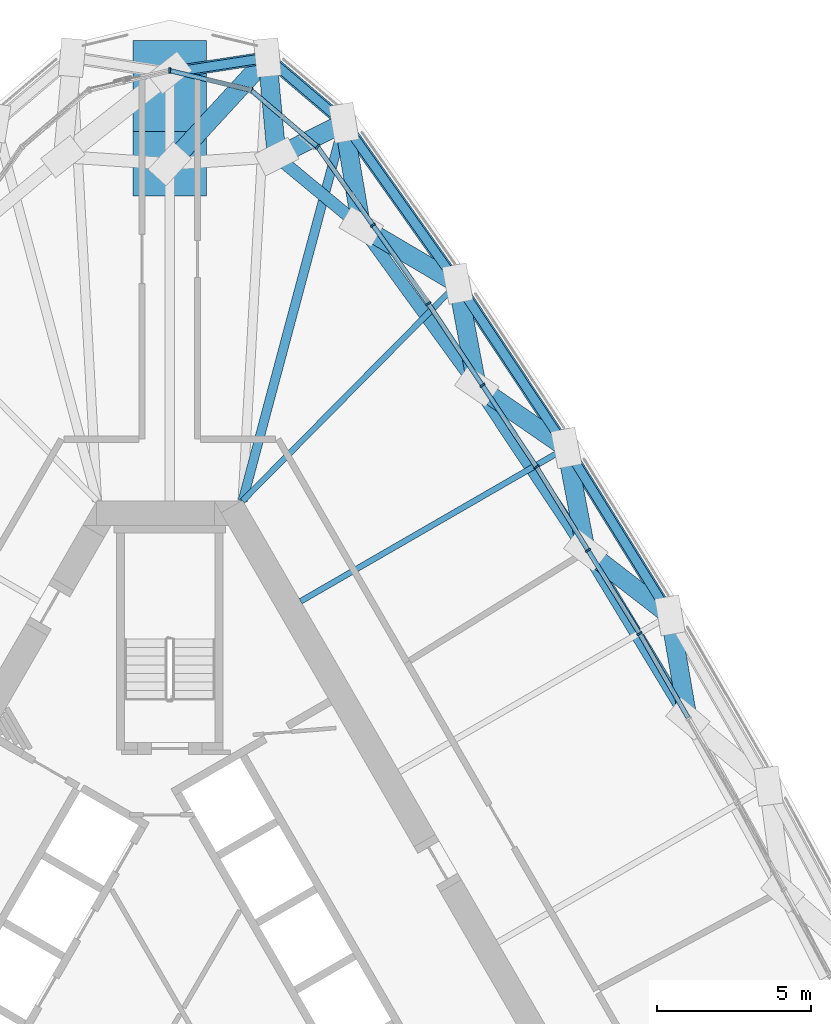
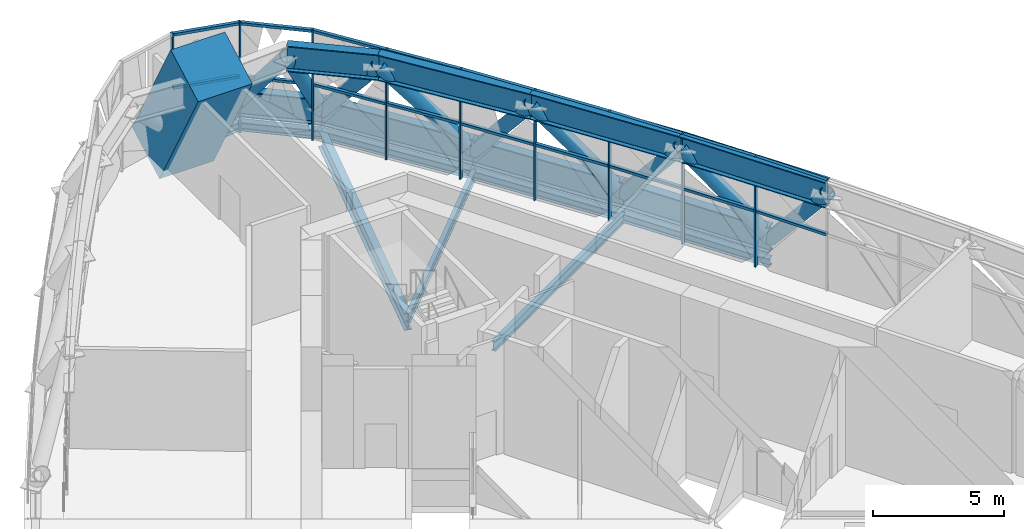
# One storey, part 9 of 35: 47 members, 8 beams, 2 elements without a shape of their own.
"""IFC4 building model written with IfcOpenShell, lengths in metres."""

from ifc_helpers import new_model, si_unit, direction, frame, origin, origin_2d, place, context, subcontext, project, spatial, rectangle, hollow_circle, i_section, extrude, material, material_profile, profile_set, type_object, element, aggregate, save


model = new_model("IFC4")

# Units and contexts
model_context = context("Model", 3, precision=1e-05, world=origin(), true_north=direction((0.0, 1.0)))
body_context = subcontext(model_context, "Body", "Model", "MODEL_VIEW")
ifc_project = project(units=[si_unit("LENGTHUNIT", "METRE"), si_unit("AREAUNIT", "SQUARE_METRE"), si_unit("VOLUMEUNIT", "CUBIC_METRE"), si_unit("PLANEANGLEUNIT", "RADIAN"), si_unit("MASSUNIT", "GRAM", prefix="KILO")], contexts=[model_context])

# Site, building, storey
site_placement = place(None, origin())
site = spatial("IfcSite", under=ifc_project, at=site_placement, CompositionType="ELEMENT")
building_placement = place(site_placement, origin())
building = spatial("IfcBuilding", under=site, at=building_placement, Name="Mestral Congress Tower", CompositionType="ELEMENT")
storey_placement = place(building_placement, frame((0.0, 0.0, 196.199951171875)))
storey = spatial("IfcBuildingStorey", under=building, at=storey_placement, Name="L46", CompositionType="ELEMENT", Elevation=196.199951171875)

# Members
ifc_material_1 = material(Name="Steel S355", Category="steel")
ifc_material_profile_1 = material_profile(ifc_material_1, i_section(OverallWidth=0.39990234375, OverallDepth=1.199951171875, WebThickness=0.02001953125, FlangeThickness=0.0400390625, FilletRadius=0.010009765625, at=origin_2d()), Name="WPG 1200")
ifc_profile_set_1 = profile_set([ifc_material_profile_1], Name="Steel S355")
member_type_1 = type_object("IfcMemberType", Name="Belt chord WPG 1200 S355", PredefinedType="CHORD", material=ifc_profile_set_1)
member_1_placement = place(storey_placement, frame((16.247314453125, 13.0751953125, 0.60009765625), z_axis=(-0.52618387331, 0.850370819977, 0.0), x_axis=(-0.850370819977, -0.52618387331, 0.0)))
element("IfcMember", 1, at=member_1_placement, inside=storey, type_object=member_type_1, Name="MB-L46-BC3-E04", PredefinedType="CHORD", context=body_context, shape_type="SweptSolid", body=[
    extrude(i_section(OverallWidth=0.39990234375, OverallDepth=1.199951171875, WebThickness=0.02001953125, FlangeThickness=0.0400390625, FilletRadius=0.010009765625, at=origin_2d()), origin(), (0.0, 0.0, 1.0), 6.399658203125),
])
for number, where, z_axis, x_axis, name in (
    (2, (12.8798828125, 18.517333984375, 0.60009765625), (-0.551915276836, 0.833900190188, 0.0), (-0.833900190188, -0.551915276836, 0.0), "MB-L46-BC3-E05"),
    (3, (9.34765625, 23.854248046875, 0.60009765625), (-0.577102484984, 0.816671734435, 0.0), (-0.816671734435, -0.577102484984, 0.0), "MB-L46-BC3-E06"),
):
    element("IfcMember", number, at=place(storey_placement, frame(where, z_axis=z_axis, x_axis=x_axis)), inside=storey, type_object=member_type_1, Name=name, PredefinedType="CHORD", context=body_context, shape_type="SweptSolid", body=[
        extrude(i_section(OverallWidth=0.39990234375, OverallDepth=1.199951171875, WebThickness=0.02001953125, FlangeThickness=0.0400390625, FilletRadius=0.010009765625, at=origin_2d()), origin(), (0.0, 0.0, 1.0), 6.39990234375),
    ])
member_2_placement = place(storey_placement, frame((5.654296875, 29.080810546875, 0.60009765625), z_axis=(-0.761440312553, 0.648235027147, 0.0), x_axis=(-0.648235027147, -0.761440312553, 0.0)))
element("IfcMember", 4, at=member_2_placement, inside=storey, type_object=member_type_1, Name="MB-L46-BC3-E07", PredefinedType="CHORD", context=body_context, shape_type="SweptSolid", body=[
    extrude(i_section(OverallWidth=0.39990234375, OverallDepth=1.199951171875, WebThickness=0.02001953125, FlangeThickness=0.0400390625, FilletRadius=0.010009765625, at=origin_2d()), origin(), (0.0, 0.0, 1.0), 3.2607421875),
])
member_3_placement = place(storey_placement, frame((3.17138671875, 31.194580078125, 0.60009765625), z_axis=(-0.98825089414, -0.152840342289, 0.0), x_axis=(0.152840342289, -0.98825089414, 0.0)))
element("IfcMember", 5, at=member_3_placement, inside=storey, type_object=member_type_1, Name="MB-L46-BC3-N1", PredefinedType="CHORD", context=body_context, shape_type="SweptSolid", body=[
    extrude(i_section(OverallWidth=0.39990234375, OverallDepth=1.199951171875, WebThickness=0.02001953125, FlangeThickness=0.0400390625, FilletRadius=0.010009765625, at=origin_2d()), origin(), (0.0, 0.0, 1.0), 3.208984375),
])
member_4_placement = place(storey_placement, frame((16.827392578125, 9.71533203125, 4.550048828125), z_axis=(-0.517874683363, 0.855456493535, 0.0), x_axis=(-0.855456493535, -0.517874683363, 0.0)))
element("IfcMember", 6, at=member_4_placement, inside=storey, type_object=member_type_1, Name="MB-L46-TC3-E03", PredefinedType="CHORD", context=body_context, shape_type="SweptSolid", body=[
    extrude(i_section(OverallWidth=0.39990234375, OverallDepth=1.199951171875, WebThickness=0.02001953125, FlangeThickness=0.0400390625, FilletRadius=0.010009765625, at=origin_2d()), origin(), (0.0, 0.0, 1.0), 6.399658203125),
])
for number, where, z_axis, x_axis, name in (
    (7, (13.51318359375, 15.18994140625, 4.550048828125), (-0.552911723663, 0.833239836923, 0.0), (-0.833239836923, -0.552911723663, 0.0), "MB-L46-TC3-E04"),
    (8, (9.974853515625, 20.522216796875, 4.550048828125), (-0.58698695142, 0.80959639257, 0.0), (-0.80959639257, -0.58698695142, 0.0), "MB-L46-TC3-E05"),
):
    element("IfcMember", number, at=place(storey_placement, frame(where, z_axis=z_axis, x_axis=x_axis)), inside=storey, type_object=member_type_1, Name=name, PredefinedType="CHORD", context=body_context, shape_type="SweptSolid", body=[
        extrude(i_section(OverallWidth=0.39990234375, OverallDepth=1.199951171875, WebThickness=0.02001953125, FlangeThickness=0.0400390625, FilletRadius=0.010009765625, at=origin_2d()), origin(), (0.0, 0.0, 1.0), 6.3994140625),
    ])
member_5_placement = place(storey_placement, frame((6.218505859375, 25.703125, 4.550048828125), z_axis=(-0.769974479924, 0.638074682358, 0.0), x_axis=(-0.638074682358, -0.769974479924, 0.0)))
element("IfcMember", 9, at=member_5_placement, inside=storey, type_object=member_type_1, Name="MB-L46-TC3-E06", PredefinedType="CHORD", context=body_context, shape_type="SweptSolid", body=[
    extrude(i_section(OverallWidth=0.39990234375, OverallDepth=1.199951171875, WebThickness=0.02001953125, FlangeThickness=0.0400390625, FilletRadius=0.010009765625, at=origin_2d()), origin(), (0.0, 0.0, 1.0), 3.56689453125),
])
ifc_material_profile_2 = material_profile(ifc_material_1, hollow_circle(Radius=0.304931640625, WallThickness=0.02490234375, at=origin_2d()), Name="CHS 610x25")
ifc_profile_set_2 = profile_set([ifc_material_profile_2], Name="Steel S355")
member_type_2 = type_object("IfcMemberType", Name="Belt diagonal CHS 610x25 S355", PredefinedType="BRACE", material=ifc_profile_set_2)
member_6_placement = place(storey_placement, frame((16.247314453125, 13.0751953125, 0.60009765625), z_axis=(0.111169156495, -0.643901486397, 0.756988965878), x_axis=(0.985421228399, 0.170132309161, 0.0)))
element("IfcMember", 10, at=member_6_placement, inside=storey, type_object=member_type_2, Name="MD-L46-BD3-E04.E03", PredefinedType="BRACE", context=body_context, shape_type="SweptSolid", body=[
    extrude(hollow_circle(Radius=0.304931640625, WallThickness=0.02490234375, at=origin_2d()), origin(), (0.0, 0.0, 1.0), 5.218017578125),
])
member_7_placement = place(storey_placement, frame((16.247314453125, 13.0751953125, 0.60009765625), z_axis=(-0.52090745051, 0.402902074856, 0.752545909616), x_axis=(-0.611811285335, -0.791003761772, 0.0)))
element("IfcMember", 11, at=member_7_placement, inside=storey, type_object=member_type_2, Name="MD-L46-BD3-E04.E04", PredefinedType="BRACE", context=body_context, shape_type="SweptSolid", body=[
    extrude(hollow_circle(Radius=0.304931640625, WallThickness=0.02490234375, at=origin_2d()), origin(), (0.0, 0.0, 1.0), 5.248779296875),
])
member_8_placement = place(storey_placement, frame((12.8798828125, 18.517333984375, 0.60009765625), z_axis=(0.121710484885, -0.639472705664, 0.759118710466), x_axis=(0.982365053895, 0.18697299507, 0.0)))
element("IfcMember", 12, at=member_8_placement, inside=storey, type_object=member_type_2, Name="MD-L46-BD3-E05.E04", PredefinedType="BRACE", context=body_context, shape_type="SweptSolid", body=[
    extrude(hollow_circle(Radius=0.304931640625, WallThickness=0.02490234375, at=origin_2d()), origin(), (0.0, 0.0, 1.0), 5.203369140625),
])
member_9_placement = place(storey_placement, frame((12.8798828125, 18.517333984375, 0.60009765625), z_axis=(-0.54840321568, 0.378476107838, 0.745660612362), x_axis=(-0.568004467728, -0.823025470226, 0.0)))
element("IfcMember", 13, at=member_9_placement, inside=storey, type_object=member_type_2, Name="MD-L46-BD3-E05.E05", PredefinedType="BRACE", context=body_context, shape_type="SweptSolid", body=[
    extrude(hollow_circle(Radius=0.304931640625, WallThickness=0.02490234375, at=origin_2d()), origin(), (0.0, 0.0, 1.0), 5.29736328125),
])
member_10_placement = place(storey_placement, frame((9.34765625, 23.854248046875, 0.60009765625), z_axis=(0.12048588021, -0.640090032351, 0.758793715812), x_axis=(0.98274151434, 0.184984096596, 0.0)))
element("IfcMember", 14, at=member_10_placement, inside=storey, type_object=member_type_2, Name="MD-L46-BD3-E06.E05", PredefinedType="BRACE", context=body_context, shape_type="SweptSolid", body=[
    extrude(hollow_circle(Radius=0.304931640625, WallThickness=0.02490234375, at=origin_2d()), origin(), (0.0, 0.0, 1.0), 5.20556640625),
])
member_11_placement = place(storey_placement, frame((9.34765625, 23.854248046875, 0.60009765625), z_axis=(-0.582960882048, 0.34444587343, 0.735876110686), x_axis=(-0.508695365577, -0.860946586636, 0.0)))
element("IfcMember", 15, at=member_11_placement, inside=storey, type_object=member_type_2, Name="MD-L46-BD3-E06.E06", PredefinedType="BRACE", context=body_context, shape_type="SweptSolid", body=[
    extrude(hollow_circle(Radius=0.304931640625, WallThickness=0.02490234375, at=origin_2d()), origin(), (0.0, 0.0, 1.0), 5.36767578125),
])
member_12_placement = place(storey_placement, frame((5.654296875, 29.080810546875, 0.60009765625), z_axis=(0.107926102258, -0.646108881326, 0.755576117888), x_axis=(0.986334127026, 0.164757366647, 0.0)))
element("IfcMember", 16, at=member_12_placement, inside=storey, type_object=member_type_2, Name="MD-L46-BD3-E07.E06", PredefinedType="BRACE", context=body_context, shape_type="SweptSolid", body=[
    extrude(hollow_circle(Radius=0.304931640625, WallThickness=0.02490234375, at=origin_2d()), origin(), (0.0, 0.0, 1.0), 5.227783203125),
])
member_13_placement = place(storey_placement, frame((5.654296875, 29.080810546875, 0.60009765625), z_axis=(-0.469761082896, -0.237193082022, 0.850331680485), x_axis=(0.450725661411, -0.892662521979, 0.0)))
element("IfcMember", 17, at=member_13_placement, inside=storey, type_object=member_type_2, Name="MD-L46-BD3-E07.N1", PredefinedType="BRACE", context=body_context, shape_type="SweptSolid", body=[
    extrude(hollow_circle(Radius=0.304931640625, WallThickness=0.02490234375, at=origin_2d()), origin(), (0.0, 0.0, 1.0), 4.645263671875),
])
member_14_placement = place(storey_placement, frame((3.17138671875, 31.194580078125, 0.60009765625), z_axis=(0.05895120771, -0.630232432421, 0.774165251244), x_axis=(0.995653743164, 0.093132291518, 0.0)))
element("IfcMember", 18, at=member_14_placement, inside=storey, type_object=member_type_2, Name="MD-L46-BD3-N1.N1", PredefinedType="BRACE", context=body_context, shape_type="SweptSolid", body=[
    extrude(hollow_circle(Radius=0.304931640625, WallThickness=0.02490234375, at=origin_2d()), origin(), (0.0, 0.0, 1.0), 5.102294921875),
])
member_15_placement = place(storey_placement, frame((3.17138671875, 31.194580078125, 0.60009765625), z_axis=(-0.517446290181, -0.56293694941, 0.644477561881), x_axis=(0.73622790012, -0.676733684019, 0.0)))
element("IfcMember", 19, at=member_15_placement, inside=storey, type_object=member_type_2, Name="MD-L46-BD3-N1.N", PredefinedType="BRACE", context=body_context, shape_type="SweptSolid", body=[
    extrude(hollow_circle(Radius=0.304931640625, WallThickness=0.02490234375, at=origin_2d()), origin(), (0.0, 0.0, 1.0), 6.12890625),
])

# Curtain wall, members
ifc_material_2 = material(Name="Clear low-emissivity double glazing", Category="glass")
curtain_wall_type = type_object("IfcCurtainWallType", Name="Facade refuge band screen", PredefinedType="USERDEFINED", material=ifc_material_2)
placement = place(storey_placement, origin())
curtain_wall_1 = element("IfcCurtainWall", 20, at=placement, inside=storey, type_object=curtain_wall_type, Name="Facade refuge band screen face 2", ObjectType="CURTAIN WALL", PredefinedType="USERDEFINED")
ifc_material_3 = material(Name="Anodised aluminium", Category="aluminium")
ifc_material_profile_3 = material_profile(ifc_material_3, rectangle(XDim=0.179931640625, YDim=0.06005859375, at=origin_2d()), Name="CW3 mullion 180 x 60")
ifc_profile_set_3 = profile_set([ifc_material_profile_3], Name="Anodised aluminium")
member_type_3 = type_object("IfcMemberType", Name="Facade refuge band screen mullion", PredefinedType="MULLION", material=ifc_profile_set_3)
member_16_placement = place(storey_placement, frame((15.260009765625, 12.485107421875, 0.0), z_axis=(0.0, 0.0, 1.0), x_axis=(0.85829337687, 0.513159311736, 0.0)))
member_16 = element("IfcMember", 21, at=member_16_placement, type_object=member_type_3, Name="Facade refuge band screen mullion", PredefinedType="MULLION", context=body_context, shape_type="SweptSolid", body=[
    extrude(rectangle(XDim=0.179931640625, YDim=0.06005859375, at=origin_2d()), origin(), (0.0, 0.0, 1.0), 5.150146484375),
])
member_17_placement = place(storey_placement, frame((13.585693359375, 15.191162109375, 0.0), z_axis=(0.0, 0.0, 1.0), x_axis=(0.850362327421, 0.526197597964, 0.0)))
member_17 = element("IfcMember", 22, at=member_17_placement, type_object=member_type_3, Name="Facade refuge band screen mullion", PredefinedType="MULLION", context=body_context, shape_type="SweptSolid", body=[
    extrude(rectangle(XDim=0.179931640625, YDim=0.06005859375, at=origin_2d()), origin(), (0.0, 0.0, 1.0), 5.150146484375),
])
member_18_placement = place(storey_placement, frame((11.9111328125, 17.897216796875, 0.0), z_axis=(0.0, 0.0, 1.0), x_axis=(0.84223228897, 0.539114803559, 0.0)))
member_18 = element("IfcMember", 23, at=member_18_placement, type_object=member_type_3, Name="Facade refuge band screen mullion", PredefinedType="MULLION", context=body_context, shape_type="SweptSolid", body=[
    extrude(rectangle(XDim=0.179931640625, YDim=0.06005859375, at=origin_2d()), origin(), (0.0, 0.0, 1.0), 5.150146484375),
])
member_19_placement = place(storey_placement, frame((10.15478515625, 20.551025390625, 0.0), z_axis=(0.0, 0.0, 1.0), x_axis=(0.833906051054, 0.55190642143, 0.0)))
member_19 = element("IfcMember", 24, at=member_19_placement, type_object=member_type_3, Name="Facade refuge band screen mullion", PredefinedType="MULLION", context=body_context, shape_type="SweptSolid", body=[
    extrude(rectangle(XDim=0.179931640625, YDim=0.06005859375, at=origin_2d()), origin(), (0.0, 0.0, 1.0), 5.150146484375),
])
member_20_placement = place(storey_placement, frame((8.3984375, 23.204833984375, 0.0), z_axis=(0.0, 0.0, 1.0), x_axis=(0.825386538643, 0.564568031177, 0.0)))
member_20 = element("IfcMember", 25, at=member_20_placement, type_object=member_type_3, Name="Facade refuge band screen mullion", PredefinedType="MULLION", context=body_context, shape_type="SweptSolid", body=[
    extrude(rectangle(XDim=0.179931640625, YDim=0.06005859375, at=origin_2d()), origin(), (0.0, 0.0, 1.0), 5.150146484375),
])
member_21_placement = place(storey_placement, frame((6.5986328125, 25.751708984375, 0.0), z_axis=(0.0, 0.0, 1.0), x_axis=(0.816673787756, 0.577099579268, 0.0)))
member_21 = element("IfcMember", 26, at=member_21_placement, type_object=member_type_3, Name="Facade refuge band screen mullion", PredefinedType="MULLION", context=body_context, shape_type="SweptSolid", body=[
    extrude(rectangle(XDim=0.179931640625, YDim=0.06005859375, at=origin_2d()), origin(), (0.0, 0.0, 1.0), 5.150146484375),
])

curtain_wall_2 = element("IfcCurtainWall", 27, at=placement, inside=storey, type_object=curtain_wall_type, Name="Facade refuge band screen corner 2", ObjectType="CURTAIN WALL", PredefinedType="USERDEFINED")
member_22_placement = place(storey_placement, frame((4.798583984375, 28.298828125, 0.0), z_axis=(0.0, 0.0, 1.0), x_axis=(0.648240844181, 0.761435360314, 0.0)))
member_22 = element("IfcMember", 28, at=member_22_placement, type_object=member_type_3, Name="Facade refuge band screen mullion", PredefinedType="MULLION", context=body_context, shape_type="SweptSolid", body=[
    extrude(rectangle(XDim=0.179931640625, YDim=0.06005859375, at=origin_2d()), origin(), (0.0, 0.0, 1.0), 5.150146484375),
])
member_23_placement = place(storey_placement, frame((2.635498046875, 30.140380859375, 0.0), z_axis=(0.0, 0.0, 1.0), x_axis=(0.453047855535, 0.891486197647, 0.0)))
member_23 = element("IfcMember", 29, at=member_23_placement, type_object=member_type_3, Name="Facade refuge band screen mullion", PredefinedType="MULLION", context=body_context, shape_type="SweptSolid", body=[
    extrude(rectangle(XDim=0.179931640625, YDim=0.06005859375, at=origin_2d()), origin(), (0.0, 0.0, 1.0), 5.150146484375),
])
member_24_placement = place(storey_placement, frame((0.0, 30.771728515625, 0.0), z_axis=(0.0, 0.0, 1.0), x_axis=(0.0, 1.0, 0.0)))
member_24 = element("IfcMember", 30, at=member_24_placement, type_object=member_type_3, Name="Facade refuge band screen mullion", PredefinedType="MULLION", context=body_context, shape_type="SweptSolid", body=[
    extrude(rectangle(XDim=0.179931640625, YDim=0.06005859375, at=origin_2d()), origin(), (0.0, 0.0, 1.0), 5.150146484375),
])

# Member
ifc_material_profile_4 = material_profile(ifc_material_3, rectangle(XDim=0.14990234375, YDim=0.1201171875, at=origin_2d()), Name="CW3 transom 150 x 120")
ifc_profile_set_4 = profile_set([ifc_material_profile_4], Name="Anodised aluminium")
member_type_4 = type_object("IfcMemberType", Name="Facade refuge band screen transom", PredefinedType="USERDEFINED", material=ifc_profile_set_4)
member_25_placement = place(storey_placement, frame((16.836181640625, 9.755126953125, 2.60009765625), z_axis=(-0.499990954667, 0.866030626047, 0.0), x_axis=(-0.866030626047, -0.499990954667, 0.0)))
member_25 = element("IfcMember", 31, at=member_25_placement, type_object=member_type_4, Name="Facade refuge band screen transom", ObjectType="TRANSOM", PredefinedType="USERDEFINED", context=body_context, shape_type="SweptSolid", body=[
    extrude(rectangle(XDim=0.14990234375, YDim=0.1201171875, at=origin_2d()), origin(), (0.0, 0.0, 1.0), 3.1220703125),
])

member_26_placement = place(storey_placement, frame((16.836181640625, 9.755126953125, 5.090087890625), z_axis=(-0.499990954667, 0.866030626047, 0.0), x_axis=(-0.866030626047, -0.499990954667, 0.0)))
member_26 = element("IfcMember", 32, at=member_26_placement, type_object=member_type_4, Name="Facade refuge band screen transom", ObjectType="TRANSOM", PredefinedType="USERDEFINED", context=body_context, shape_type="SweptSolid", body=[
    extrude(rectangle(XDim=0.14990234375, YDim=0.1201171875, at=origin_2d()), origin(), (0.0, 0.0, 1.0), 3.1220703125),
])

member_27_placement = place(storey_placement, frame((15.244384765625, 12.510498046875, 2.60009765625), z_axis=(-0.526198488101, 0.85036177661, 0.0), x_axis=(-0.85036177661, -0.526198488101, 0.0)))
member_27 = element("IfcMember", 33, at=member_27_placement, type_object=member_type_4, Name="Facade refuge band screen transom", ObjectType="TRANSOM", PredefinedType="USERDEFINED", context=body_context, shape_type="SweptSolid", body=[
    extrude(rectangle(XDim=0.14990234375, YDim=0.1201171875, at=origin_2d()), origin(), (0.0, 0.0, 1.0), 3.12255859375),
])

member_28_placement = place(storey_placement, frame((15.244384765625, 12.510498046875, 5.090087890625), z_axis=(-0.526198488101, 0.85036177661, 0.0), x_axis=(-0.85036177661, -0.526198488101, 0.0)))
member_28 = element("IfcMember", 34, at=member_28_placement, type_object=member_type_4, Name="Facade refuge band screen transom", ObjectType="TRANSOM", PredefinedType="USERDEFINED", context=body_context, shape_type="SweptSolid", body=[
    extrude(rectangle(XDim=0.14990234375, YDim=0.1201171875, at=origin_2d()), origin(), (0.0, 0.0, 1.0), 3.12255859375),
])

member_29_placement = place(storey_placement, frame((13.56982421875, 15.216796875, 2.60009765625), z_axis=(-0.526176932892, 0.85037511446, 0.0), x_axis=(-0.85037511446, -0.526176932892, 0.0)))
member_29 = element("IfcMember", 35, at=member_29_placement, type_object=member_type_4, Name="Facade refuge band screen transom", ObjectType="TRANSOM", PredefinedType="USERDEFINED", context=body_context, shape_type="SweptSolid", body=[
    extrude(rectangle(XDim=0.14990234375, YDim=0.1201171875, at=origin_2d()), origin(), (0.0, 0.0, 1.0), 3.1220703125),
])

member_30_placement = place(storey_placement, frame((13.56982421875, 15.216796875, 5.090087890625), z_axis=(-0.526176932892, 0.85037511446, 0.0), x_axis=(-0.85037511446, -0.526176932892, 0.0)))
member_30 = element("IfcMember", 36, at=member_30_placement, type_object=member_type_4, Name="Facade refuge band screen transom", ObjectType="TRANSOM", PredefinedType="USERDEFINED", context=body_context, shape_type="SweptSolid", body=[
    extrude(rectangle(XDim=0.14990234375, YDim=0.1201171875, at=origin_2d()), origin(), (0.0, 0.0, 1.0), 3.1220703125),
])

member_31_placement = place(storey_placement, frame((11.89453125, 17.92236328125, 2.60009765625), z_axis=(-0.551882094712, 0.833922150765, 0.0), x_axis=(-0.833922150765, -0.551882094712, 0.0)))
member_31 = element("IfcMember", 37, at=member_31_placement, type_object=member_type_4, Name="Facade refuge band screen transom", ObjectType="TRANSOM", PredefinedType="USERDEFINED", context=body_context, shape_type="SweptSolid", body=[
    extrude(rectangle(XDim=0.14990234375, YDim=0.1201171875, at=origin_2d()), origin(), (0.0, 0.0, 1.0), 3.122314453125),
])

member_32_placement = place(storey_placement, frame((11.89453125, 17.92236328125, 5.090087890625), z_axis=(-0.551882094712, 0.833922150765, 0.0), x_axis=(-0.833922150765, -0.551882094712, 0.0)))
member_32 = element("IfcMember", 38, at=member_32_placement, type_object=member_type_4, Name="Facade refuge band screen transom", ObjectType="TRANSOM", PredefinedType="USERDEFINED", context=body_context, shape_type="SweptSolid", body=[
    extrude(rectangle(XDim=0.14990234375, YDim=0.1201171875, at=origin_2d()), origin(), (0.0, 0.0, 1.0), 3.122314453125),
])

member_33_placement = place(storey_placement, frame((10.13818359375, 20.576171875, 2.60009765625), z_axis=(-0.551972456756, 0.833862342945, 0.0), x_axis=(-0.833862342945, -0.551972456756, 0.0)))
member_33 = element("IfcMember", 39, at=member_33_placement, type_object=member_type_4, Name="Facade refuge band screen transom", ObjectType="TRANSOM", PredefinedType="USERDEFINED", context=body_context, shape_type="SweptSolid", body=[
    extrude(rectangle(XDim=0.14990234375, YDim=0.1201171875, at=origin_2d()), origin(), (0.0, 0.0, 1.0), 3.122314453125),
])

member_34_placement = place(storey_placement, frame((10.13818359375, 20.576171875, 5.090087890625), z_axis=(-0.551972456756, 0.833862342945, 0.0), x_axis=(-0.833862342945, -0.551972456756, 0.0)))
member_34 = element("IfcMember", 40, at=member_34_placement, type_object=member_type_4, Name="Facade refuge band screen transom", ObjectType="TRANSOM", PredefinedType="USERDEFINED", context=body_context, shape_type="SweptSolid", body=[
    extrude(rectangle(XDim=0.14990234375, YDim=0.1201171875, at=origin_2d()), origin(), (0.0, 0.0, 1.0), 3.122314453125),
])

member_35_placement = place(storey_placement, frame((8.381103515625, 23.229248046875, 2.60009765625), z_axis=(-0.577077976274, 0.816689053006, 0.0), x_axis=(-0.816689053006, -0.577077976274, 0.0)))
member_35 = element("IfcMember", 41, at=member_35_placement, type_object=member_type_4, Name="Facade refuge band screen transom", ObjectType="TRANSOM", PredefinedType="USERDEFINED", context=body_context, shape_type="SweptSolid", body=[
    extrude(rectangle(XDim=0.14990234375, YDim=0.1201171875, at=origin_2d()), origin(), (0.0, 0.0, 1.0), 3.058837890625),
])

member_36_placement = place(storey_placement, frame((8.381103515625, 23.229248046875, 5.090087890625), z_axis=(-0.577077976274, 0.816689053006, 0.0), x_axis=(-0.816689053006, -0.577077976274, 0.0)))
member_36 = element("IfcMember", 42, at=member_36_placement, type_object=member_type_4, Name="Facade refuge band screen transom", ObjectType="TRANSOM", PredefinedType="USERDEFINED", context=body_context, shape_type="SweptSolid", body=[
    extrude(rectangle(XDim=0.14990234375, YDim=0.1201171875, at=origin_2d()), origin(), (0.0, 0.0, 1.0), 3.058837890625),
])

member_37_placement = place(storey_placement, frame((6.581298828125, 25.7763671875, 2.60009765625), z_axis=(-0.577131209117, 0.81665143572, 0.0), x_axis=(-0.81665143572, -0.577131209117, 0.0)))
member_37 = element("IfcMember", 43, at=member_37_placement, type_object=member_type_4, Name="Facade refuge band screen transom", ObjectType="TRANSOM", PredefinedType="USERDEFINED", context=body_context, shape_type="SweptSolid", body=[
    extrude(rectangle(XDim=0.14990234375, YDim=0.1201171875, at=origin_2d()), origin(), (0.0, 0.0, 1.0), 3.058837890625),
])

member_38_placement = place(storey_placement, frame((6.581298828125, 25.7763671875, 5.090087890625), z_axis=(-0.577131209117, 0.81665143572, 0.0), x_axis=(-0.81665143572, -0.577131209117, 0.0)))
member_38 = element("IfcMember", 44, at=member_38_placement, type_object=member_type_4, Name="Facade refuge band screen transom", ObjectType="TRANSOM", PredefinedType="USERDEFINED", context=body_context, shape_type="SweptSolid", body=[
    extrude(rectangle(XDim=0.14990234375, YDim=0.1201171875, at=origin_2d()), origin(), (0.0, 0.0, 1.0), 3.058837890625),
])

aggregate(curtain_wall_1, [member_16, member_17, member_18, member_19, member_20, member_21, member_25, member_26, member_27, member_28, member_29, member_30, member_31, member_32, member_33, member_34, member_35, member_36, member_37, member_38])

member_39_placement = place(storey_placement, frame((4.77587890625, 28.318359375, 2.60009765625), z_axis=(-0.761421368188, 0.648257279223, 0.0), x_axis=(-0.648257279223, -0.761421368188, 0.0)))
member_39 = element("IfcMember", 45, at=member_39_placement, type_object=member_type_4, Name="Facade refuge band screen transom", ObjectType="TRANSOM", PredefinedType="USERDEFINED", context=body_context, shape_type="SweptSolid", body=[
    extrude(rectangle(XDim=0.14990234375, YDim=0.1201171875, at=origin_2d()), origin(), (0.0, 0.0, 1.0), 2.781005859375),
])

member_40_placement = place(storey_placement, frame((4.77587890625, 28.318359375, 5.090087890625), z_axis=(-0.761421368188, 0.648257279223, 0.0), x_axis=(-0.648257279223, -0.761421368188, 0.0)))
member_40 = element("IfcMember", 46, at=member_40_placement, type_object=member_type_4, Name="Facade refuge band screen transom", ObjectType="TRANSOM", PredefinedType="USERDEFINED", context=body_context, shape_type="SweptSolid", body=[
    extrude(rectangle(XDim=0.14990234375, YDim=0.1201171875, at=origin_2d()), origin(), (0.0, 0.0, 1.0), 2.781005859375),
])

member_41_placement = place(storey_placement, frame((2.6064453125, 30.1474609375, 2.60009765625), z_axis=(-0.972500917637, 0.232899045073, 0.0), x_axis=(-0.232899045073, -0.972500917637, 0.0)))
member_41 = element("IfcMember", 47, at=member_41_placement, type_object=member_type_4, Name="Facade refuge band screen transom", ObjectType="TRANSOM", PredefinedType="USERDEFINED", context=body_context, shape_type="SweptSolid", body=[
    extrude(rectangle(XDim=0.14990234375, YDim=0.1201171875, at=origin_2d()), origin(), (0.0, 0.0, 1.0), 2.64990234375),
])

member_42_placement = place(storey_placement, frame((2.6064453125, 30.1474609375, 5.090087890625), z_axis=(-0.972500917637, 0.232899045073, 0.0), x_axis=(-0.232899045073, -0.972500917637, 0.0)))
member_42 = element("IfcMember", 48, at=member_42_placement, type_object=member_type_4, Name="Facade refuge band screen transom", ObjectType="TRANSOM", PredefinedType="USERDEFINED", context=body_context, shape_type="SweptSolid", body=[
    extrude(rectangle(XDim=0.14990234375, YDim=0.1201171875, at=origin_2d()), origin(), (0.0, 0.0, 1.0), 2.64990234375),
])

aggregate(curtain_wall_2, [member_22, member_23, member_24, member_39, member_40, member_41, member_42])

# Beams
ifc_material_profile_5 = material_profile(ifc_material_1, i_section(OverallWidth=0.300048828125, OverallDepth=0.800048828125, WebThickness=0.017578125, FlangeThickness=0.032958984375, FilletRadius=0.030029296875, at=origin_2d()), Name="HEB 800")
ifc_profile_set_5 = profile_set([ifc_material_profile_5], Name="Steel S355")
beam_type_1 = type_object("IfcBeamType", Name="Floor beam HEB 800 S355", PredefinedType="BEAM", material=ifc_profile_set_5)
beam_1_placement = place(storey_placement, frame((5.654296875, 29.080810546875, -0.699951171875), z_axis=(-0.258561377452, -0.965994831296, 0.0), x_axis=(0.965994831296, -0.258561377452, 0.0)))
element("IfcBeam", 49, at=beam_1_placement, inside=storey, type_object=beam_type_1, Name="BM-L46-RB3-E07", PredefinedType="BEAM", context=body_context, shape_type="SweptSolid", body=[
    extrude(i_section(OverallWidth=0.300048828125, OverallDepth=0.800048828125, WebThickness=0.017578125, FlangeThickness=0.032958984375, FilletRadius=0.030029296875, at=origin_2d()), origin(), (0.0, 0.0, 1.0), 12.713134765625),
])
ifc_material_profile_6 = material_profile(ifc_material_1, i_section(OverallWidth=0.18994140625, OverallDepth=0.449951171875, WebThickness=0.009521484375, FlangeThickness=0.0146484375, FilletRadius=0.02099609375, at=origin_2d()), Name="IPE 450")
ifc_profile_set_6 = profile_set([ifc_material_profile_6], Name="Steel S355")
beam_type_2 = type_object("IfcBeamType", Name="Floor beam IPE 450 S355", PredefinedType="BEAM", material=ifc_profile_set_6)
beam_2_placement = place(storey_placement, frame((12.8798828125, 18.517333984375, -0.52490234375), z_axis=(-0.866026845417, -0.49999750301, 0.0), x_axis=(0.49999750301, -0.866026845417, 0.0)))
element("IfcBeam", 50, at=beam_2_placement, inside=storey, type_object=beam_type_2, Name="BM-L46-RB3-E05", PredefinedType="BEAM", context=body_context, shape_type="SweptSolid", body=[
    extrude(i_section(OverallWidth=0.18994140625, OverallDepth=0.449951171875, WebThickness=0.009521484375, FlangeThickness=0.0146484375, FilletRadius=0.02099609375, at=origin_2d()), origin(), (0.0, 0.0, 1.0), 9.962890625),
])
beam_3_placement = place(storey_placement, frame((9.34765625, 23.854248046875, -0.52490234375), z_axis=(-0.703382322759, -0.710811724741, 0.0), x_axis=(0.710811724741, -0.703382322759, 0.0)))
element("IfcBeam", 51, at=beam_3_placement, inside=storey, type_object=beam_type_2, Name="BM-L46-RB3-E06", PredefinedType="BEAM", context=body_context, shape_type="SweptSolid", body=[
    extrude(i_section(OverallWidth=0.18994140625, OverallDepth=0.449951171875, WebThickness=0.009521484375, FlangeThickness=0.0146484375, FilletRadius=0.02099609375, at=origin_2d()), origin(), (0.0, 0.0, 1.0), 9.924072265625),
])

# Member
ifc_material_4 = material(Name="Concrete C70/85", Category="concrete")
ifc_material_profile_7 = material_profile(ifc_material_4, rectangle(XDim=2.39990234375, YDim=2.39990234375, at=origin_2d()), Name="RC 2400x2400")
ifc_profile_set_7 = profile_set([ifc_material_profile_7], Name="Concrete C70/85")
member_type_5 = type_object("IfcMemberType", Name="Pylon shift strut RC 2400x2400 C70/85", PredefinedType="STRUT", material=ifc_profile_set_7)
member_43_placement = place(storey_placement, frame((0.0, 30.7041015625, 0.0), z_axis=(0.0, -0.48062612251, 0.876925612786), x_axis=(1.0, 0.0, 0.0)))
element("IfcMember", 52, at=member_43_placement, inside=storey, type_object=member_type_5, Name="MS-L46-PS3-N", PredefinedType="STRUT", context=body_context, shape_type="SweptSolid", body=[
    extrude(rectangle(XDim=2.39990234375, YDim=2.39990234375, at=origin_2d()), origin(), (0.0, 0.0, 1.0), 6.157958984375),
])

# Beams
ifc_material_profile_8 = material_profile(ifc_material_1, i_section(OverallWidth=0.300048828125, OverallDepth=0.389892578125, WebThickness=0.010986328125, FlangeThickness=0.01904296875, FilletRadius=0.027099609375, at=origin_2d()), Name="HEA 400")
ifc_profile_set_8 = profile_set([ifc_material_profile_8], Name="Steel S355")
beam_type_3 = type_object("IfcBeamType", Name="Spandrel beam HEA 400 S355", PredefinedType="BEAM", material=ifc_profile_set_8)
beam_4_placement = place(storey_placement, frame((16.247314453125, 13.0751953125, -0.494873046875), z_axis=(-0.52618387331, 0.850370819977, 0.0), x_axis=(-0.850370819977, -0.52618387331, 0.0)))
element("IfcBeam", 53, at=beam_4_placement, inside=storey, type_object=beam_type_3, Name="SP-L46-SB3-E04", PredefinedType="BEAM", context=body_context, shape_type="SweptSolid", body=[
    extrude(i_section(OverallWidth=0.300048828125, OverallDepth=0.389892578125, WebThickness=0.010986328125, FlangeThickness=0.01904296875, FilletRadius=0.027099609375, at=origin_2d()), origin(), (0.0, 0.0, 1.0), 6.399658203125),
])
for number, where, z_axis, x_axis, name in (
    (54, (12.8798828125, 18.517333984375, -0.494873046875), (-0.551915276836, 0.833900190188, 0.0), (-0.833900190188, -0.551915276836, 0.0), "SP-L46-SB3-E05"),
    (55, (9.34765625, 23.854248046875, -0.494873046875), (-0.577102484984, 0.816671734435, 0.0), (-0.816671734435, -0.577102484984, 0.0), "SP-L46-SB3-E06"),
):
    element("IfcBeam", number, at=place(storey_placement, frame(where, z_axis=z_axis, x_axis=x_axis)), inside=storey, type_object=beam_type_3, Name=name, PredefinedType="BEAM", context=body_context, shape_type="SweptSolid", body=[
        extrude(i_section(OverallWidth=0.300048828125, OverallDepth=0.389892578125, WebThickness=0.010986328125, FlangeThickness=0.01904296875, FilletRadius=0.027099609375, at=origin_2d()), origin(), (0.0, 0.0, 1.0), 6.39990234375),
    ])
beam_5_placement = place(storey_placement, frame((5.654296875, 29.080810546875, -0.494873046875), z_axis=(-0.761440312553, 0.648235027147, 0.0), x_axis=(-0.648235027147, -0.761440312553, 0.0)))
element("IfcBeam", 56, at=beam_5_placement, inside=storey, type_object=beam_type_3, Name="SP-L46-SB3-E07", PredefinedType="BEAM", context=body_context, shape_type="SweptSolid", body=[
    extrude(i_section(OverallWidth=0.300048828125, OverallDepth=0.389892578125, WebThickness=0.010986328125, FlangeThickness=0.01904296875, FilletRadius=0.027099609375, at=origin_2d()), origin(), (0.0, 0.0, 1.0), 3.2607421875),
])
beam_6_placement = place(storey_placement, frame((3.17138671875, 31.194580078125, -0.494873046875), z_axis=(-0.98825089414, -0.152840342289, 0.0), x_axis=(0.152840342289, -0.98825089414, 0.0)))
element("IfcBeam", 57, at=beam_6_placement, inside=storey, type_object=beam_type_3, Name="SP-L46-SB3-N1", PredefinedType="BEAM", context=body_context, shape_type="SweptSolid", body=[
    extrude(i_section(OverallWidth=0.300048828125, OverallDepth=0.389892578125, WebThickness=0.010986328125, FlangeThickness=0.01904296875, FilletRadius=0.027099609375, at=origin_2d()), origin(), (0.0, 0.0, 1.0), 3.208984375),
])

save(model, "model.ifc")
